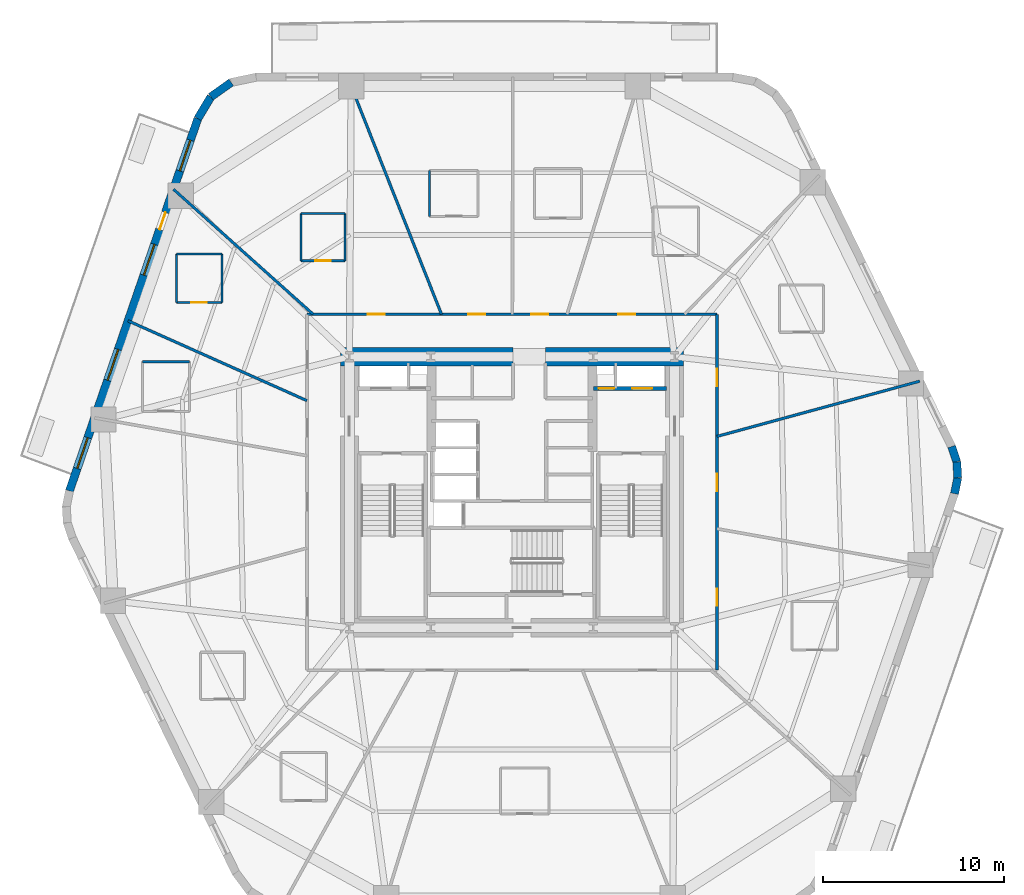
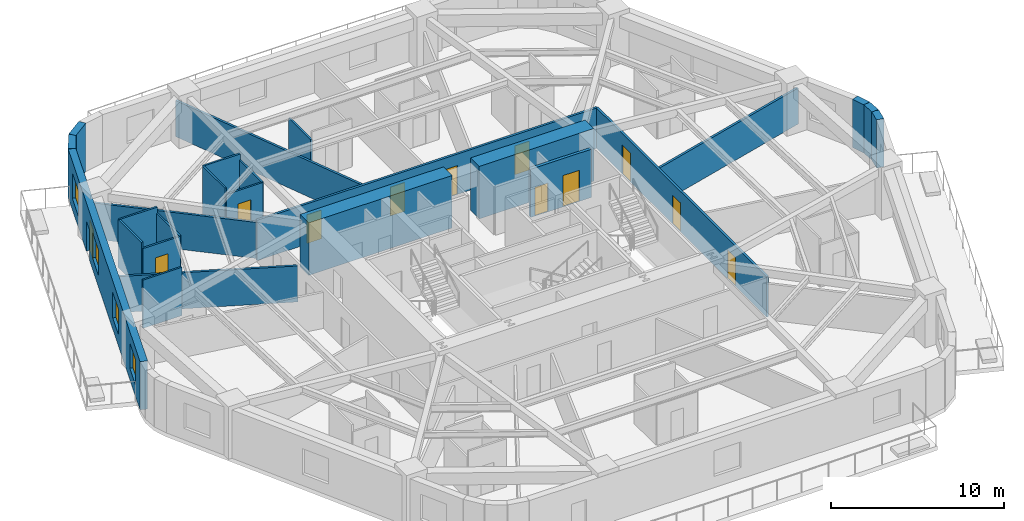
# One storey, part 5 of 10: 25 walls, 12 doors, 4 windows, 16 openings.
"""IFC4 building model written with IfcOpenShell, lengths in metres."""

from ifc_helpers import new_model, si_unit, direction, frame, frame_2d, origin, place, context, subcontext, project, spatial, rectangle, extrude, material, layer, layer_set, type_object, element, fill, save


model = new_model("IFC4")

# Units and contexts
model_context = context("Model", 3, precision=1e-05, world=origin(), true_north=direction((0.0, 1.0)))
body_context = subcontext(model_context, "Body", "Model", "MODEL_VIEW")
ifc_project = project(units=[si_unit("LENGTHUNIT", "METRE"), si_unit("AREAUNIT", "SQUARE_METRE"), si_unit("VOLUMEUNIT", "CUBIC_METRE"), si_unit("PLANEANGLEUNIT", "RADIAN"), si_unit("MASSUNIT", "GRAM", prefix="KILO")], contexts=[model_context])

# Site, building, storey
site_placement = place(None, origin())
site = spatial("IfcSite", under=ifc_project, at=site_placement, CompositionType="ELEMENT")
building_placement = place(site_placement, origin())
building = spatial("IfcBuilding", under=site, at=building_placement, Name="Kilnhurst Terrace Hotel", CompositionType="ELEMENT")
storey_placement = place(building_placement, frame((0.0, 0.0, 74.89990234375)))
storey = spatial("IfcBuildingStorey", under=building, at=storey_placement, Name="L17", CompositionType="ELEMENT", Elevation=74.89990234375)

# Walls
ifc_material_1 = material(Name="Precast concrete C40/50", Category="concrete")
ifc_layer_1 = layer(ifc_material_1, 0.449951171875, Name="Precast concrete C40/50")
ifc_layer_set_1 = layer_set([ifc_layer_1], Name="Precast concrete C40/50")
wall_type_1 = type_object("IfcWallType", Name="WL-BRK-450", PredefinedType="SOLIDWALL", material=ifc_layer_set_1)
wall_1_placement = place(storey_placement, frame((24.49560546875, -0.07666015625, 0.0), z_axis=(0.0, 0.0, 1.0), x_axis=(0.199570594521, 0.979883451132, 0.0)))
element("IfcWall", 1, at=wall_1_placement, inside=storey, type_object=wall_type_1, Name="L17 Rounded Corner Brick Wall C3.1", PredefinedType="SOLIDWALL", context=body_context, shape_type="SweptSolid", body=[
    extrude(rectangle(XDim=0.896728515625, YDim=0.449951171875, at=frame_2d((0.4482421875, 0.0))), origin(), (0.0, 0.0, 1.0), 3.400146484375),
])
wall_2_placement = place(storey_placement, frame((24.674560546875, 0.802001953125, 0.0), z_axis=(0.0, 0.0, 1.0), x_axis=(-0.061188874166, 0.998126205286, 0.0)))
element("IfcWall", 2, at=wall_2_placement, inside=storey, type_object=wall_type_1, Name="L17 Rounded Corner Brick Wall C3.2", PredefinedType="SOLIDWALL", context=body_context, shape_type="SweptSolid", body=[
    extrude(rectangle(XDim=0.8818359375, YDim=0.449951171875, at=frame_2d((0.44091796875, 0.0))), origin(), (0.0, 0.0, 1.0), 3.400146484375),
])
wall_3_placement = place(storey_placement, frame((24.62060546875, 1.68212890625, 0.0), z_axis=(0.0, 0.0, 1.0), x_axis=(-0.317697451681, 0.948192137278, 0.0)))
element("IfcWall", 3, at=wall_3_placement, inside=storey, type_object=wall_type_1, Name="L17 Rounded Corner Brick Wall C3.3", PredefinedType="SOLIDWALL", context=body_context, shape_type="SweptSolid", body=[
    extrude(rectangle(XDim=0.896728515625, YDim=0.449951171875, at=frame_2d((0.4482421875, 0.0))), origin(), (0.0, 0.0, 1.0), 3.400146484375),
])
wall_4_placement = place(storey_placement, frame((-15.5439453125, 22.68701171875, 0.0), z_axis=(0.0, 0.0, 1.0), x_axis=(-0.814210854316, -0.580569276412, 0.0)))
element("IfcWall", 4, at=wall_4_placement, inside=storey, type_object=wall_type_1, Name="L17 Rounded Corner Brick Wall C5.2", PredefinedType="SOLIDWALL", context=body_context, shape_type="SweptSolid", body=[
    extrude(rectangle(XDim=1.38134765625, YDim=0.449951171875, at=frame_2d((0.690673828125, 0.0))), origin(), (0.0, 0.0, 1.0), 3.400146484375),
])
wall_5_placement = place(storey_placement, frame((-16.668701171875, 21.885009765625, 0.0), z_axis=(0.0, 0.0, 1.0), x_axis=(-0.512936712947, -0.858426425799, 0.0)))
element("IfcWall", 5, at=wall_5_placement, inside=storey, type_object=wall_type_1, Name="L17 Rounded Corner Brick Wall C5.3", PredefinedType="SOLIDWALL", context=body_context, shape_type="SweptSolid", body=[
    extrude(rectangle(XDim=1.405517578125, YDim=0.449951171875, at=frame_2d((0.70263671875, 0.0))), origin(), (0.0, 0.0, 1.0), 3.400146484375),
])

# Wall, openings, door, windows
wall_6_placement = place(storey_placement, frame((-17.3896484375, 20.678466796875, 0.0), z_axis=(0.0, 0.0, 1.0), x_axis=(-0.326068018294, -0.945346310854, 0.0)))
wall_6 = element("IfcWall", 6, at=wall_6_placement, inside=storey, type_object=wall_type_1, Name="L17 Exterior Brick Facade Wall F5", PredefinedType="SOLIDWALL", context=body_context, shape_type="SweptSolid", body=[
    extrude(rectangle(XDim=21.79296875, YDim=0.449951171875, at=frame_2d((10.896484375, 0.0))), origin(), (0.0, 0.0, 1.0), 3.400146484375),
])
opening_1_placement = place(wall_6_placement, frame((5.492919921875, 0.0, 0.0)))
opening_1 = element("IfcOpeningElement", 7, at=opening_1_placement, cuts=wall_6, Name="Opening BD-1000", PredefinedType="OPENING", context=body_context, shape_type="SweptSolid", body=[
    extrude(rectangle(XDim=1.0, YDim=2.14990234375, at=frame_2d((0.5, 1.074951171875))), frame((0.0, 0.23486328125, 0.0), z_axis=(0.0, -1.0, 0.0), x_axis=(1.0, 0.0, 0.0)), (0.0, 0.0, 1.0), 0.469970703125),
])
opening_2_placement = place(wall_6_placement, frame((1.260009765625, 0.0, 0.800048828125)))
opening_2 = element("IfcOpeningElement", 8, at=opening_2_placement, cuts=wall_6, Name="Opening W-01", PredefinedType="OPENING", context=body_context, shape_type="SweptSolid", body=[
    extrude(rectangle(XDim=1.800048828125, YDim=1.800048828125, at=frame_2d((0.89990234375, 0.89990234375))), frame((0.0, 0.23486328125, 0.0), z_axis=(0.0, -1.0, 0.0), x_axis=(1.0, 0.0, 0.0)), (0.0, 0.0, 1.0), 0.469970703125),
])
opening_3_placement = place(wall_6_placement, frame((7.363037109375, 0.0, 0.800048828125)))
opening_3 = element("IfcOpeningElement", 9, at=opening_3_placement, cuts=wall_6, Name="Opening W-01", PredefinedType="OPENING", context=body_context, shape_type="SweptSolid", body=[
    extrude(rectangle(XDim=1.800048828125, YDim=1.800048828125, at=frame_2d((0.89990234375, 0.89990234375))), frame((0.0, 0.23486328125, 0.0), z_axis=(0.0, -1.0, 0.0), x_axis=(1.0, 0.0, 0.0)), (0.0, 0.0, 1.0), 0.469970703125),
])
opening_4_placement = place(wall_6_placement, frame((13.51806640625, 0.0, 0.800048828125)))
opening_4 = element("IfcOpeningElement", 10, at=opening_4_placement, cuts=wall_6, Name="Opening W-01", PredefinedType="OPENING", context=body_context, shape_type="SweptSolid", body=[
    extrude(rectangle(XDim=1.800048828125, YDim=1.800048828125, at=frame_2d((0.89990234375, 0.89990234375))), frame((0.0, 0.23486328125, 0.0), z_axis=(0.0, -1.0, 0.0), x_axis=(1.0, 0.0, 0.0)), (0.0, 0.0, 1.0), 0.469970703125),
])
opening_5_placement = place(wall_6_placement, frame((18.679931640625, 0.0, 0.800048828125)))
opening_5 = element("IfcOpeningElement", 11, at=opening_5_placement, cuts=wall_6, Name="Opening W-01", PredefinedType="OPENING", context=body_context, shape_type="SweptSolid", body=[
    extrude(rectangle(XDim=1.800048828125, YDim=1.800048828125, at=frame_2d((0.89990234375, 0.89990234375))), frame((0.0, 0.23486328125, 0.0), z_axis=(0.0, -1.0, 0.0), x_axis=(1.0, 0.0, 0.0)), (0.0, 0.0, 1.0), 0.469970703125),
])
ifc_material_2 = material(Name="Thermally Broken Bronze Aluminium Alloy 6063-T6 and Laminated Glass", Category="aluminium")
door_type_1 = type_object("IfcDoorType", Name="DR-EXT-BAL-1000", OperationType="NOTDEFINED", PredefinedType="DOOR", material=ifc_material_2)
door_1_placement = place(opening_1_placement, origin())
door_1 = element("IfcDoor", 12, at=door_1_placement, inside=storey, type_object=door_type_1, Name="L17 Planted Balcony Door BAL-L2B", OperationType="SINGLE_SWING_LEFT", OverallHeight=2.14990234375, OverallWidth=1.0, PredefinedType="DOOR", context=body_context, shape_type="SweptSolid", body=[
    extrude(rectangle(XDim=1.0, YDim=2.14990234375, at=frame_2d((0.5, 1.074951171875))), frame((0.0, 0.02490234375, 0.0), z_axis=(0.0, -1.0, 0.0), x_axis=(1.0, 0.0, 0.0)), (0.0, 0.0, 1.0), 0.050048828125),
])
fill(opening_1, door_1)
ifc_material_3 = material(Name="Thermally Broken Bronze Aluminium Alloy 6063-T6 and Low-E Glass", Category="aluminium")
window_type = type_object("IfcWindowType", Name="WIN-1800X1800", PartitioningType="SINGLE_PANEL", PredefinedType="WINDOW", material=ifc_material_3)
window_1_placement = place(opening_2_placement, origin())
window_1 = element("IfcWindow", 13, at=window_1_placement, inside=storey, type_object=window_type, Name="L17 Deep-Set Masonry Window F5.1", OverallHeight=1.800048828125, OverallWidth=1.800048828125, PartitioningType="SINGLE_PANEL", PredefinedType="WINDOW", context=body_context, shape_type="SweptSolid", body=[
    extrude(rectangle(XDim=1.800048828125, YDim=1.800048828125, at=frame_2d((0.89990234375, 0.89990234375))), frame((0.0, 0.030029296875, 0.0), z_axis=(0.0, -1.0, 0.0), x_axis=(1.0, 0.0, 0.0)), (0.0, 0.0, 1.0), 0.06005859375),
])
fill(opening_2, window_1)
window_2_placement = place(opening_3_placement, origin())
window_2 = element("IfcWindow", 14, at=window_2_placement, inside=storey, type_object=window_type, Name="L17 Deep-Set Masonry Window F5.2", OverallHeight=1.800048828125, OverallWidth=1.800048828125, PartitioningType="SINGLE_PANEL", PredefinedType="WINDOW", context=body_context, shape_type="SweptSolid", body=[
    extrude(rectangle(XDim=1.800048828125, YDim=1.800048828125, at=frame_2d((0.89990234375, 0.89990234375))), frame((0.0, 0.030029296875, 0.0), z_axis=(0.0, -1.0, 0.0), x_axis=(1.0, 0.0, 0.0)), (0.0, 0.0, 1.0), 0.06005859375),
])
fill(opening_3, window_2)
window_3_placement = place(opening_4_placement, origin())
window_3 = element("IfcWindow", 15, at=window_3_placement, inside=storey, type_object=window_type, Name="L17 Deep-Set Masonry Window F5.3", OverallHeight=1.800048828125, OverallWidth=1.800048828125, PartitioningType="SINGLE_PANEL", PredefinedType="WINDOW", context=body_context, shape_type="SweptSolid", body=[
    extrude(rectangle(XDim=1.800048828125, YDim=1.800048828125, at=frame_2d((0.89990234375, 0.89990234375))), frame((0.0, 0.030029296875, 0.0), z_axis=(0.0, -1.0, 0.0), x_axis=(1.0, 0.0, 0.0)), (0.0, 0.0, 1.0), 0.06005859375),
])
fill(opening_4, window_3)
window_4_placement = place(opening_5_placement, origin())
window_4 = element("IfcWindow", 16, at=window_4_placement, inside=storey, type_object=window_type, Name="L17 Deep-Set Masonry Window F5.4", OverallHeight=1.800048828125, OverallWidth=1.800048828125, PartitioningType="SINGLE_PANEL", PredefinedType="WINDOW", context=body_context, shape_type="SweptSolid", body=[
    extrude(rectangle(XDim=1.800048828125, YDim=1.800048828125, at=frame_2d((0.89990234375, 0.89990234375))), frame((0.0, 0.030029296875, 0.0), z_axis=(0.0, -1.0, 0.0), x_axis=(1.0, 0.0, 0.0)), (0.0, 0.0, 1.0), 0.06005859375),
])
fill(opening_5, window_4)

# Wall, openings, doors
ifc_material_4 = material(Name="Acoustic Double-Gypsum Corridor Partition Assembly")
ifc_layer_2 = layer(ifc_material_4, 0.14990234375, Name="Acoustic Double-Gypsum Corridor Partition Assembly")
ifc_layer_set_2 = layer_set([ifc_layer_2], Name="Acoustic Double-Gypsum Corridor Partition Assembly")
wall_type_2 = type_object("IfcWallType", Name="WL-COR-150", PredefinedType="PARTITIONING", material=ifc_layer_set_2)
wall_7_placement = place(storey_placement, frame((-11.35009765625, 9.85009765625, 0.0), z_axis=(0.0, 0.0, 1.0), x_axis=(1.0, 0.0, 0.0)))
wall_7 = element("IfcWall", 17, at=wall_7_placement, inside=storey, type_object=wall_type_2, Name="L17 Interior Wall WL-L17-COR-02", PredefinedType="PARTITIONING", context=body_context, shape_type="SweptSolid", body=[
    extrude(rectangle(XDim=22.7001953125, YDim=0.14990234375, at=frame_2d((11.35009765625, 0.0))), origin(), (0.0, 0.0, 1.0), 2.840087890625),
])
opening_6_placement = place(wall_7_placement, frame((17.22509765625, 0.0, 0.0)))
opening_6 = element("IfcOpeningElement", 18, at=opening_6_placement, cuts=wall_7, Name="Opening D-60B", PredefinedType="OPENING", context=body_context, shape_type="SweptSolid", body=[
    extrude(rectangle(XDim=0.949951171875, YDim=2.030029296875, at=frame_2d((0.47509765625, 1.01513671875))), frame((0.0, 0.0849609375, 0.0), z_axis=(0.0, -1.0, 0.0), x_axis=(1.0, 0.0, 0.0)), (0.0, 0.0, 1.0), 0.169921875),
])
opening_7_placement = place(wall_7_placement, frame((12.4150390625, 0.0, 0.0)))
opening_7 = element("IfcOpeningElement", 19, at=opening_7_placement, cuts=wall_7, Name="Opening D-60B", PredefinedType="OPENING", context=body_context, shape_type="SweptSolid", body=[
    extrude(rectangle(XDim=0.949951171875, YDim=2.030029296875, at=frame_2d((0.47509765625, 1.01513671875))), frame((0.0, 0.0849609375, 0.0), z_axis=(0.0, -1.0, 0.0), x_axis=(1.0, 0.0, 0.0)), (0.0, 0.0, 1.0), 0.169921875),
])
opening_8_placement = place(wall_7_placement, frame((8.925048828125, 0.0, 0.0)))
opening_8 = element("IfcOpeningElement", 20, at=opening_8_placement, cuts=wall_7, Name="Opening D-60B", PredefinedType="OPENING", context=body_context, shape_type="SweptSolid", body=[
    extrude(rectangle(XDim=0.949951171875, YDim=2.030029296875, at=frame_2d((0.47509765625, 1.01513671875))), frame((0.0, 0.0849609375, 0.0), z_axis=(0.0, -1.0, 0.0), x_axis=(1.0, 0.0, 0.0)), (0.0, 0.0, 1.0), 0.169921875),
])
opening_9_placement = place(wall_7_placement, frame((3.368896484375, 0.0, 0.0)))
opening_9 = element("IfcOpeningElement", 21, at=opening_9_placement, cuts=wall_7, Name="Opening D-60B", PredefinedType="OPENING", context=body_context, shape_type="SweptSolid", body=[
    extrude(rectangle(XDim=0.949951171875, YDim=2.030029296875, at=frame_2d((0.47509765625, 1.01513671875))), frame((0.0, 0.0849609375, 0.0), z_axis=(0.0, -1.0, 0.0), x_axis=(1.0, 0.0, 0.0)), (0.0, 0.0, 1.0), 0.169921875),
])
ifc_material_5 = material(Name="Acoustic Walnut Veneer Solid-Core Fire Door")
door_type_2 = type_object("IfcDoorType", Name="DR-FD60-950", OperationType="NOTDEFINED", PredefinedType="DOOR", material=ifc_material_5)
door_2_placement = place(opening_6_placement, origin())
door_2 = element("IfcDoor", 22, at=door_2_placement, inside=storey, type_object=door_type_2, Name="L17 Executive Suite Entry Door 2", OperationType="SINGLE_SWING_RIGHT", OverallHeight=2.030029296875, OverallWidth=0.949951171875, PredefinedType="DOOR", context=body_context, shape_type="SweptSolid", body=[
    extrude(rectangle(XDim=0.949951171875, YDim=2.030029296875, at=frame_2d((0.47509765625, 1.01513671875))), frame((0.0, 0.02490234375, 0.0), z_axis=(0.0, -1.0, 0.0), x_axis=(1.0, 0.0, 0.0)), (0.0, 0.0, 1.0), 0.050048828125),
])
fill(opening_6, door_2)
door_3_placement = place(opening_7_placement, origin())
door_3 = element("IfcDoor", 23, at=door_3_placement, inside=storey, type_object=door_type_2, Name="L17 Guest Room Entry Door 3", OperationType="SINGLE_SWING_LEFT", OverallHeight=2.030029296875, OverallWidth=0.949951171875, PredefinedType="DOOR", context=body_context, shape_type="SweptSolid", body=[
    extrude(rectangle(XDim=0.949951171875, YDim=2.030029296875, at=frame_2d((0.47509765625, 1.01513671875))), frame((0.0, 0.02490234375, 0.0), z_axis=(0.0, -1.0, 0.0), x_axis=(1.0, 0.0, 0.0)), (0.0, 0.0, 1.0), 0.050048828125),
])
fill(opening_7, door_3)
door_4_placement = place(opening_8_placement, origin())
door_4 = element("IfcDoor", 24, at=door_4_placement, inside=storey, type_object=door_type_2, Name="L17 Executive Suite Entry Door 4", OperationType="SINGLE_SWING_RIGHT", OverallHeight=2.030029296875, OverallWidth=0.949951171875, PredefinedType="DOOR", context=body_context, shape_type="SweptSolid", body=[
    extrude(rectangle(XDim=0.949951171875, YDim=2.030029296875, at=frame_2d((0.47509765625, 1.01513671875))), frame((0.0, 0.02490234375, 0.0), z_axis=(0.0, -1.0, 0.0), x_axis=(1.0, 0.0, 0.0)), (0.0, 0.0, 1.0), 0.050048828125),
])
fill(opening_8, door_4)
door_5_placement = place(opening_9_placement, origin())
door_5 = element("IfcDoor", 25, at=door_5_placement, inside=storey, type_object=door_type_2, Name="L17 Executive Suite Entry Door 5", OperationType="SINGLE_SWING_LEFT", OverallHeight=2.030029296875, OverallWidth=0.949951171875, PredefinedType="DOOR", context=body_context, shape_type="SweptSolid", body=[
    extrude(rectangle(XDim=0.949951171875, YDim=2.030029296875, at=frame_2d((0.47509765625, 1.01513671875))), frame((0.0, 0.02490234375, 0.0), z_axis=(0.0, -1.0, 0.0), x_axis=(1.0, 0.0, 0.0)), (0.0, 0.0, 1.0), 0.050048828125),
])
fill(opening_9, door_5)

wall_8_placement = place(storey_placement, frame((11.35009765625, 9.85009765625, 0.0), z_axis=(0.0, 0.0, 1.0), x_axis=(0.0, -1.0, 0.0)))
wall_8 = element("IfcWall", 26, at=wall_8_placement, inside=storey, type_object=wall_type_2, Name="L17 Interior Wall WL-L17-COR-03", PredefinedType="PARTITIONING", context=body_context, shape_type="SweptSolid", body=[
    extrude(rectangle(XDim=19.7001953125, YDim=0.14990234375, at=frame_2d((9.85009765625, 0.0))), origin(), (0.0, 0.0, 1.0), 2.840087890625),
])
opening_10_placement = place(wall_8_placement, frame((3.02392578125, 0.0, 0.0)))
opening_10 = element("IfcOpeningElement", 27, at=opening_10_placement, cuts=wall_8, Name="Opening D-60B", PredefinedType="OPENING", context=body_context, shape_type="SweptSolid", body=[
    extrude(rectangle(XDim=0.949951171875, YDim=2.030029296875, at=frame_2d((0.47509765625, 1.01513671875))), frame((0.0, 0.0849609375, 0.0), z_axis=(0.0, -1.0, 0.0), x_axis=(1.0, 0.0, 0.0)), (0.0, 0.0, 1.0), 0.169921875),
])
opening_11_placement = place(wall_8_placement, frame((15.19091796875, 0.0, 0.0)))
opening_11 = element("IfcOpeningElement", 28, at=opening_11_placement, cuts=wall_8, Name="Opening D-60B", PredefinedType="OPENING", context=body_context, shape_type="SweptSolid", body=[
    extrude(rectangle(XDim=0.949951171875, YDim=2.030029296875, at=frame_2d((0.47509765625, 1.01513671875))), frame((0.0, 0.0849609375, 0.0), z_axis=(0.0, -1.0, 0.0), x_axis=(1.0, 0.0, 0.0)), (0.0, 0.0, 1.0), 0.169921875),
])
opening_12_placement = place(wall_8_placement, frame((8.837890625, 0.0, 0.0)))
opening_12 = element("IfcOpeningElement", 29, at=opening_12_placement, cuts=wall_8, Name="Opening D-60B", PredefinedType="OPENING", context=body_context, shape_type="SweptSolid", body=[
    extrude(rectangle(XDim=0.949951171875, YDim=2.030029296875, at=frame_2d((0.47509765625, 1.01513671875))), frame((0.0, 0.0849609375, 0.0), z_axis=(0.0, -1.0, 0.0), x_axis=(1.0, 0.0, 0.0)), (0.0, 0.0, 1.0), 0.169921875),
])
door_6_placement = place(opening_10_placement, origin())
door_6 = element("IfcDoor", 30, at=door_6_placement, inside=storey, type_object=door_type_2, Name="L17 Executive Suite Entry Door 1", OperationType="SINGLE_SWING_LEFT", OverallHeight=2.030029296875, OverallWidth=0.949951171875, PredefinedType="DOOR", context=body_context, shape_type="SweptSolid", body=[
    extrude(rectangle(XDim=0.949951171875, YDim=2.030029296875, at=frame_2d((0.47509765625, 1.01513671875))), frame((0.0, 0.02490234375, 0.0), z_axis=(0.0, -1.0, 0.0), x_axis=(1.0, 0.0, 0.0)), (0.0, 0.0, 1.0), 0.050048828125),
])
fill(opening_10, door_6)
door_7_placement = place(opening_11_placement, origin())
door_7 = element("IfcDoor", 31, at=door_7_placement, inside=storey, type_object=door_type_2, Name="L17 Executive Suite Entry Door 14", OperationType="SINGLE_SWING_RIGHT", OverallHeight=2.030029296875, OverallWidth=0.949951171875, PredefinedType="DOOR", context=body_context, shape_type="SweptSolid", body=[
    extrude(rectangle(XDim=0.949951171875, YDim=2.030029296875, at=frame_2d((0.47509765625, 1.01513671875))), frame((0.0, 0.02490234375, 0.0), z_axis=(0.0, -1.0, 0.0), x_axis=(1.0, 0.0, 0.0)), (0.0, 0.0, 1.0), 0.050048828125),
])
fill(opening_11, door_7)
door_8_placement = place(opening_12_placement, origin())
door_8 = element("IfcDoor", 32, at=door_8_placement, inside=storey, type_object=door_type_2, Name="L17 Reading Study Door", OperationType="SINGLE_SWING_LEFT", OverallHeight=2.030029296875, OverallWidth=0.949951171875, PredefinedType="DOOR", context=body_context, shape_type="SweptSolid", body=[
    extrude(rectangle(XDim=0.949951171875, YDim=2.030029296875, at=frame_2d((0.47509765625, 1.01513671875))), frame((0.0, 0.02490234375, 0.0), z_axis=(0.0, -1.0, 0.0), x_axis=(1.0, 0.0, 0.0)), (0.0, 0.0, 1.0), 0.050048828125),
])
fill(opening_12, door_8)

# Walls
ifc_material_6 = material(Name="Concrete C80/95", Category="concrete")
ifc_layer_3 = layer(ifc_material_6, 1.0, Name="Concrete C80/95")
ifc_layer_set_3 = layer_set([ifc_layer_3], Name="Concrete C80/95")
wall_type_3 = type_object("IfcWallType", Name="WL-CORE-1000", PredefinedType="SHEAR", material=ifc_layer_set_3)
wall_9_placement = place(storey_placement, frame((-9.5, 7.5, 0.0), z_axis=(0.0, 0.0, 1.0), x_axis=(1.0, 0.0, 0.0)))
element("IfcWall", 33, at=wall_9_placement, inside=storey, type_object=wall_type_3, Name="L17 Core North West Shear Wall", PredefinedType="SHEAR", context=body_context, shape_type="SweptSolid", body=[
    extrude(rectangle(XDim=9.550048828125, YDim=1.0, at=frame_2d((4.77490234375, 0.0))), origin(), (0.0, 0.0, 1.0), 3.7001953125),
])
wall_10_placement = place(storey_placement, frame((1.85009765625, 7.5, 0.0), z_axis=(0.0, 0.0, 1.0), x_axis=(1.0, 0.0, 0.0)))
element("IfcWall", 34, at=wall_10_placement, inside=storey, type_object=wall_type_3, Name="L17 Core North East Shear Wall", PredefinedType="SHEAR", context=body_context, shape_type="SweptSolid", body=[
    extrude(rectangle(XDim=7.64990234375, YDim=1.0, at=frame_2d((3.824951171875, 0.0))), origin(), (0.0, 0.0, 1.0), 3.7001953125),
])
ifc_material_7 = material(Name="STC-58 Acoustic Twin-Frame Guestroom Demising Partition")
ifc_layer_4 = layer(ifc_material_7, 0.14990234375, Name="STC-58 Acoustic Twin-Frame Guestroom Demising Partition")
ifc_layer_set_4 = layer_set([ifc_layer_4], Name="STC-58 Acoustic Twin-Frame Guestroom Demising Partition")
wall_type_4 = type_object("IfcWallType", Name="WL-DEM-150", PredefinedType="PARTITIONING", material=ifc_layer_set_4)
wall_11_placement = place(storey_placement, frame((11.35009765625, 3.0908203125, 0.0), z_axis=(0.0, 0.0, 1.0), x_axis=(0.964859685283, 0.262765651704, 0.0)))
element("IfcWall", 35, at=wall_11_placement, inside=storey, type_object=wall_type_4, Name="L17 Interior Wall WL-L17-DEM-COL01-01-1", PredefinedType="PARTITIONING", context=body_context, shape_type="SweptSolid", body=[
    extrude(rectangle(XDim=11.62890625, YDim=0.14990234375, at=frame_2d((5.814453125, 0.0))), origin(), (0.0, 0.0, 1.0), 2.5400390625),
])
wall_12_placement = place(storey_placement, frame((-3.90185546875, 9.85009765625, 0.0), z_axis=(0.0, 0.0, 1.0), x_axis=(-0.36828765711, 0.929711891728, 0.0)))
element("IfcWall", 36, at=wall_12_placement, inside=storey, type_object=wall_type_4, Name="L17 Interior Wall WL-L17-DEM-COL04-05-1", PredefinedType="PARTITIONING", context=body_context, shape_type="SweptSolid", body=[
    extrude(rectangle(XDim=14.1171875, YDim=0.14990234375, at=frame_2d((7.05859375, 0.0))), origin(), (0.0, 0.0, 1.0), 2.5400390625),
])
wall_13_placement = place(storey_placement, frame((-11.006591796875, 9.85009765625, 0.0), z_axis=(0.0, 0.0, 1.0), x_axis=(-0.745177305978, 0.666866390407, 0.0)))
element("IfcWall", 37, at=wall_13_placement, inside=storey, type_object=wall_type_4, Name="L17 Interior Wall WL-L17-DEM-COL05-06-1", PredefinedType="PARTITIONING", context=body_context, shape_type="SweptSolid", body=[
    extrude(rectangle(XDim=10.375244140625, YDim=0.14990234375, at=frame_2d((5.1875, 0.0))), origin(), (0.0, 0.0, 1.0), 2.5400390625),
])
wall_14_placement = place(storey_placement, frame((-11.35009765625, 5.068115234375, 0.0), z_axis=(0.0, 0.0, 1.0), x_axis=(-0.913107192911, 0.407719577963, 0.0)))
element("IfcWall", 38, at=wall_14_placement, inside=storey, type_object=wall_type_4, Name="L17 Interior Wall WL-L17-DEM-MID05-07-1", PredefinedType="PARTITIONING", context=body_context, shape_type="SweptSolid", body=[
    extrude(rectangle(XDim=10.84130859375, YDim=0.14990234375, at=frame_2d((5.420654296875, 0.0))), origin(), (0.0, 0.0, 1.0), 2.5400390625),
])
ifc_material_8 = material(Name="120 mm Moisture-Resistant Tile-Backed Bathroom Partition")
ifc_layer_5 = layer(ifc_material_8, 0.1201171875, Name="120 mm Moisture-Resistant Tile-Backed Bathroom Partition")
ifc_layer_set_5 = layer_set([ifc_layer_5], Name="120 mm Moisture-Resistant Tile-Backed Bathroom Partition")
wall_type_5 = type_object("IfcWallType", Name="WL-PART-120", PredefinedType="PARTITIONING", material=ifc_layer_set_5)
wall_15_placement = place(storey_placement, frame((-4.55908203125, 17.806884765625, 0.0), z_axis=(0.0, 0.0, 1.0), x_axis=(0.0, -1.0, 0.0)))
element("IfcWall", 39, at=wall_15_placement, inside=storey, type_object=wall_type_5, Name="L17 Interior Wall WL-L17-BTH-04-4", PredefinedType="PARTITIONING", context=body_context, shape_type="SweptSolid", body=[
    extrude(rectangle(XDim=2.539794921875, YDim=0.1201171875, at=frame_2d((1.27001953125, 0.0))), origin(), (0.0, 0.0, 1.0), 2.840576171875),
])

# Wall, opening, door
wall_16_placement = place(storey_placement, frame((-11.681884765625, 12.81298828125, 0.0), z_axis=(0.0, 0.0, 1.0), x_axis=(1.0, 0.0, 0.0)))
wall_16 = element("IfcWall", 40, at=wall_16_placement, inside=storey, type_object=wall_type_5, Name="L17 Interior Wall WL-L17-BTH-05-1", PredefinedType="PARTITIONING", context=body_context, shape_type="SweptSolid", body=[
    extrude(rectangle(XDim=2.43994140625, YDim=0.1201171875, at=frame_2d((1.219970703125, 0.0))), origin(), (0.0, 0.0, 1.0), 2.972412109375),
])
opening_13_placement = place(wall_16_placement, frame((0.794921875, 0.0, 0.0)))
opening_13 = element("IfcOpeningElement", 41, at=opening_13_placement, cuts=wall_16, Name="Opening D-08A", PredefinedType="OPENING", context=body_context, shape_type="SweptSolid", body=[
    extrude(rectangle(XDim=0.85009765625, YDim=2.030029296875, at=frame_2d((0.425048828125, 1.01513671875))), frame((0.0, 0.070068359375, 0.0), z_axis=(0.0, -1.0, 0.0), x_axis=(1.0, 0.0, 0.0)), (0.0, 0.0, 1.0), 0.14013671875),
])
ifc_material_9 = material(Name="Moisture-Resistant Lacquered En-suite Bathroom Door")
door_type_3 = type_object("IfcDoorType", Name="DR-INT-850", OperationType="NOTDEFINED", PredefinedType="DOOR", material=ifc_material_9)
door_9_placement = place(opening_13_placement, origin())
door_9 = element("IfcDoor", 42, at=door_9_placement, inside=storey, type_object=door_type_3, Name="L17 En-suite Bathroom Door 5", OperationType="SINGLE_SWING_RIGHT", OverallHeight=2.030029296875, OverallWidth=0.85009765625, PredefinedType="DOOR", context=body_context, shape_type="SweptSolid", body=[
    extrude(rectangle(XDim=0.85009765625, YDim=2.030029296875, at=frame_2d((0.425048828125, 1.01513671875))), frame((0.0, 0.02490234375, 0.0), z_axis=(0.0, -1.0, 0.0), x_axis=(1.0, 0.0, 0.0)), (0.0, 0.0, 1.0), 0.050048828125),
])
fill(opening_13, door_9)

# Walls
wall_17_placement = place(storey_placement, frame((-9.241943359375, 12.81298828125, 0.0), z_axis=(0.0, 0.0, 1.0), x_axis=(0.0, 1.0, 0.0)))
element("IfcWall", 43, at=wall_17_placement, inside=storey, type_object=wall_type_5, Name="L17 Interior Wall WL-L17-BTH-05-2", PredefinedType="PARTITIONING", context=body_context, shape_type="SweptSolid", body=[
    extrude(rectangle(XDim=2.610107421875, YDim=0.1201171875, at=frame_2d((1.30517578125, 0.0))), origin(), (0.0, 0.0, 1.0), 2.972412109375),
])
wall_18_placement = place(storey_placement, frame((-9.241943359375, 15.423095703125, 0.0), z_axis=(0.0, 0.0, 1.0), x_axis=(-1.0, 0.0, 0.0)))
element("IfcWall", 44, at=wall_18_placement, inside=storey, type_object=wall_type_5, Name="L17 Interior Wall WL-L17-BTH-05-3", PredefinedType="PARTITIONING", context=body_context, shape_type="SweptSolid", body=[
    extrude(rectangle(XDim=2.43994140625, YDim=0.1201171875, at=frame_2d((1.219970703125, 0.0))), origin(), (0.0, 0.0, 1.0), 3.400146484375),
])
wall_19_placement = place(storey_placement, frame((-11.681884765625, 15.423095703125, 0.0), z_axis=(0.0, 0.0, 1.0), x_axis=(0.0, -1.0, 0.0)))
element("IfcWall", 45, at=wall_19_placement, inside=storey, type_object=wall_type_5, Name="L17 Interior Wall WL-L17-BTH-05-4", PredefinedType="PARTITIONING", context=body_context, shape_type="SweptSolid", body=[
    extrude(rectangle(XDim=2.610107421875, YDim=0.1201171875, at=frame_2d((1.30517578125, 0.0))), origin(), (0.0, 0.0, 1.0), 3.400146484375),
])

# Wall, opening, door
wall_20_placement = place(storey_placement, frame((-18.5791015625, 10.50390625, 0.0), z_axis=(0.0, 0.0, 1.0), x_axis=(1.0, 0.0, 0.0)))
wall_20 = element("IfcWall", 46, at=wall_20_placement, inside=storey, type_object=wall_type_5, Name="L17 Interior Wall WL-L17-BTH-06-1", PredefinedType="PARTITIONING", context=body_context, shape_type="SweptSolid", body=[
    extrude(rectangle(XDim=2.52001953125, YDim=0.1201171875, at=frame_2d((1.260009765625, 0.0))), origin(), (0.0, 0.0, 1.0), 2.972412109375),
])
opening_14_placement = place(wall_20_placement, frame((0.8349609375, 0.0, 0.0)))
opening_14 = element("IfcOpeningElement", 47, at=opening_14_placement, cuts=wall_20, Name="Opening D-08A", PredefinedType="OPENING", context=body_context, shape_type="SweptSolid", body=[
    extrude(rectangle(XDim=0.85009765625, YDim=2.030029296875, at=frame_2d((0.425048828125, 1.01513671875))), frame((0.0, 0.070068359375, 0.0), z_axis=(0.0, -1.0, 0.0), x_axis=(1.0, 0.0, 0.0)), (0.0, 0.0, 1.0), 0.14013671875),
])
door_10_placement = place(opening_14_placement, origin())
door_10 = element("IfcDoor", 48, at=door_10_placement, inside=storey, type_object=door_type_3, Name="L17 En-suite Bathroom Door 6", OperationType="SINGLE_SWING_LEFT", OverallHeight=2.030029296875, OverallWidth=0.85009765625, PredefinedType="DOOR", context=body_context, shape_type="SweptSolid", body=[
    extrude(rectangle(XDim=0.85009765625, YDim=2.030029296875, at=frame_2d((0.425048828125, 1.01513671875))), frame((0.0, 0.02490234375, 0.0), z_axis=(0.0, -1.0, 0.0), x_axis=(1.0, 0.0, 0.0)), (0.0, 0.0, 1.0), 0.050048828125),
])
fill(opening_14, door_10)

# Walls
wall_21_placement = place(storey_placement, frame((-16.05908203125, 10.50390625, 0.0), z_axis=(0.0, 0.0, 1.0), x_axis=(0.0, 1.0, 0.0)))
element("IfcWall", 49, at=wall_21_placement, inside=storey, type_object=wall_type_5, Name="L17 Interior Wall WL-L17-BTH-06-2", PredefinedType="PARTITIONING", context=body_context, shape_type="SweptSolid", body=[
    extrude(rectangle(XDim=2.68017578125, YDim=0.1201171875, at=frame_2d((1.340087890625, 0.0))), origin(), (0.0, 0.0, 1.0), 2.972412109375),
])
wall_22_placement = place(storey_placement, frame((-16.05908203125, 13.18408203125, 0.0), z_axis=(0.0, 0.0, 1.0), x_axis=(-1.0, 0.0, 0.0)))
element("IfcWall", 50, at=wall_22_placement, inside=storey, type_object=wall_type_5, Name="L17 Interior Wall WL-L17-BTH-06-3", PredefinedType="PARTITIONING", context=body_context, shape_type="SweptSolid", body=[
    extrude(rectangle(XDim=2.52001953125, YDim=0.1201171875, at=frame_2d((1.260009765625, 0.0))), origin(), (0.0, 0.0, 1.0), 3.400146484375),
])
wall_23_placement = place(storey_placement, frame((-18.5791015625, 13.18408203125, 0.0), z_axis=(0.0, 0.0, 1.0), x_axis=(0.0, -1.0, 0.0)))
element("IfcWall", 51, at=wall_23_placement, inside=storey, type_object=wall_type_5, Name="L17 Interior Wall WL-L17-BTH-06-4", PredefinedType="PARTITIONING", context=body_context, shape_type="SweptSolid", body=[
    extrude(rectangle(XDim=2.68017578125, YDim=0.1201171875, at=frame_2d((1.340087890625, 0.0))), origin(), (0.0, 0.0, 1.0), 3.400146484375),
])
wall_24_placement = place(storey_placement, frame((-17.84912109375, 7.22412109375, 0.0), z_axis=(0.0, 0.0, 1.0), x_axis=(-1.0, 0.0, 0.0)))
element("IfcWall", 52, at=wall_24_placement, inside=storey, type_object=wall_type_5, Name="L17 Interior Wall WL-L17-BTH-07-3", PredefinedType="PARTITIONING", context=body_context, shape_type="SweptSolid", body=[
    extrude(rectangle(XDim=2.599853515625, YDim=0.1201171875, at=frame_2d((1.2998046875, 0.0))), origin(), (0.0, 0.0, 1.0), 3.400146484375),
])

# Wall, openings, doors
ifc_material_10 = material(Name="Autoclaved Aerated Concrete C30/37 and Gypsum Shaft Assembly", Category="concrete")
ifc_layer_6 = layer(ifc_material_10, 0.199951171875, Name="Autoclaved Aerated Concrete C30/37 and Gypsum Shaft Assembly")
ifc_layer_set_6 = layer_set([ifc_layer_6], Name="Autoclaved Aerated Concrete C30/37 and Gypsum Shaft Assembly")
wall_type_6 = type_object("IfcWallType", Name="WL-SHAFT-200", PredefinedType="PARTITIONING", material=ifc_layer_set_6)
wall_25_placement = place(storey_placement, frame((4.5, 5.739990234375, 0.0), z_axis=(0.0, 0.0, 1.0), x_axis=(1.0, 0.0, 0.0)))
wall_25 = element("IfcWall", 53, at=wall_25_placement, inside=storey, type_object=wall_type_6, Name="L17 Interior Wall WL-L17-FSAE2-S", PredefinedType="PARTITIONING", context=body_context, shape_type="SweptSolid", body=[
    extrude(rectangle(XDim=4.050048828125, YDim=0.199951171875, at=frame_2d((2.02490234375, 0.0))), origin(), (0.0, 0.0, 1.0), 3.400146484375),
])
opening_15_placement = place(wall_25_placement, frame((0.300048828125, 0.0, 0.0)))
opening_15 = element("IfcOpeningElement", 54, at=opening_15_placement, cuts=wall_25, Name="Opening D-60D", PredefinedType="OPENING", context=body_context, shape_type="SweptSolid", body=[
    extrude(rectangle(XDim=0.85009765625, YDim=2.030029296875, at=frame_2d((0.425048828125, 1.01513671875))), frame((0.0, 0.10986328125, 0.0), z_axis=(0.0, -1.0, 0.0), x_axis=(1.0, 0.0, 0.0)), (0.0, 0.0, 1.0), 0.219970703125),
])
opening_16_placement = place(wall_25_placement, frame((2.14990234375, 0.0, 0.0)))
opening_16 = element("IfcOpeningElement", 55, at=opening_16_placement, cuts=wall_25, Name="Opening LD-F2", PredefinedType="OPENING", context=body_context, shape_type="SweptSolid", body=[
    extrude(rectangle(XDim=1.10009765625, YDim=2.199951171875, at=frame_2d((0.550048828125, 1.10009765625))), frame((0.0, 0.10986328125, 0.0), z_axis=(0.0, -1.0, 0.0), x_axis=(1.0, 0.0, 0.0)), (0.0, 0.0, 1.0), 0.219970703125),
])
ifc_material_11 = material(Name="Painted Hollow Metal Steel ASTM A36 Riser Door", Category="steel")
door_type_4 = type_object("IfcDoorType", Name="DR-FD60-850", OperationType="NOTDEFINED", PredefinedType="DOOR", material=ifc_material_11)
door_11_placement = place(opening_15_placement, origin())
door_11 = element("IfcDoor", 56, at=door_11_placement, inside=storey, type_object=door_type_4, Name="L17 Telecom Riser Door", OperationType="SINGLE_SWING_RIGHT", OverallHeight=2.030029296875, OverallWidth=0.85009765625, PredefinedType="DOOR", context=body_context, shape_type="SweptSolid", body=[
    extrude(rectangle(XDim=0.85009765625, YDim=2.030029296875, at=frame_2d((0.425048828125, 1.01513671875))), frame((0.0, 0.02490234375, 0.0), z_axis=(0.0, -1.0, 0.0), x_axis=(1.0, 0.0, 0.0)), (0.0, 0.0, 1.0), 0.050048828125),
])
fill(opening_15, door_11)
ifc_material_12 = material(Name="Bronze-Anodized Stainless Steel AISI 316L Sliding Door", Category="steel")
door_type_5 = type_object("IfcDoorType", Name="DR-LIFT-1100", OperationType="NOTDEFINED", PredefinedType="DOOR", material=ifc_material_12)
door_12_placement = place(opening_16_placement, origin())
door_12 = element("IfcDoor", 57, at=door_12_placement, inside=storey, type_object=door_type_5, Name="L17 FSAE-2 Landing Door", OperationType="SLIDING_TO_RIGHT", OverallHeight=2.199951171875, OverallWidth=1.10009765625, PredefinedType="DOOR", context=body_context, shape_type="SweptSolid", body=[
    extrude(rectangle(XDim=1.10009765625, YDim=2.199951171875, at=frame_2d((0.550048828125, 1.10009765625))), frame((0.0, 0.02490234375, 0.0), z_axis=(0.0, -1.0, 0.0), x_axis=(1.0, 0.0, 0.0)), (0.0, 0.0, 1.0), 0.050048828125),
])
fill(opening_16, door_12)

save(model, "model.ifc")
